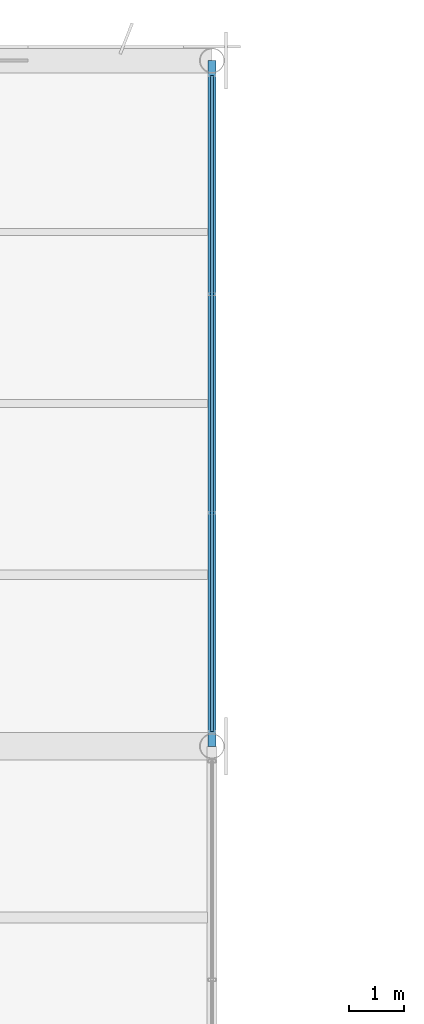
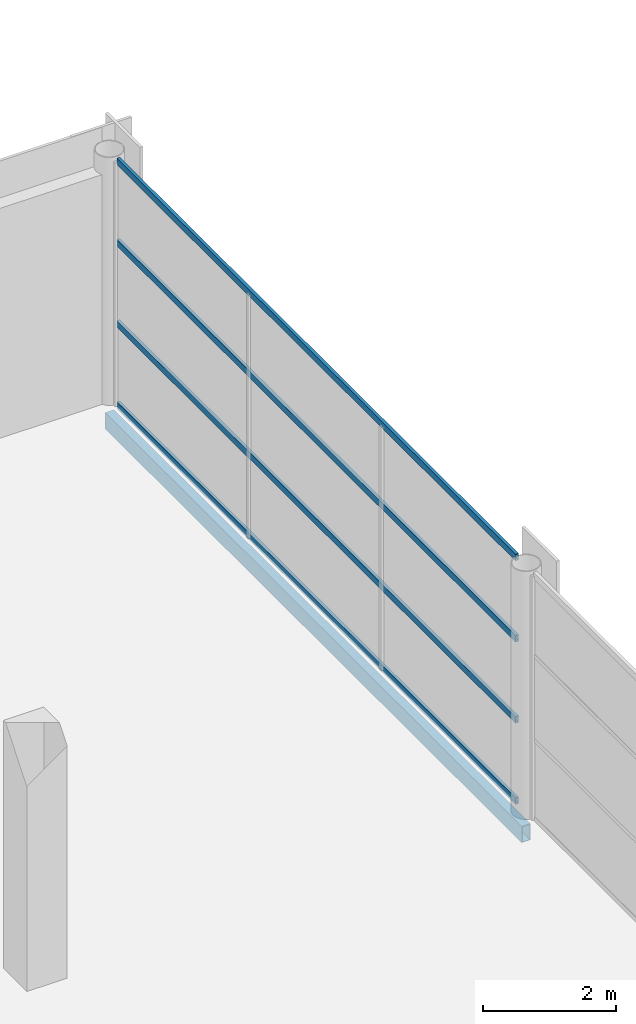
# One storey, part 48 of 112: 4 members, 1 beam, 1 element without a shape of its own.
"""IFC4 building model written with IfcOpenShell, lengths in metres."""

from ifc_helpers import new_model, si_unit, direction, frame, origin, origin_2d, place, context, subcontext, project, spatial, hollow_rectangle, extrude, material, material_profile, profile_set, type_object, element, aggregate, save


model = new_model("IFC4")

# Units and contexts
model_context = context("Model", 3, precision=1e-05, world=origin(), true_north=direction((0.0, 1.0)))
body_context = subcontext(model_context, "Body", "Model", "MODEL_VIEW")
ifc_project = project(units=[si_unit("LENGTHUNIT", "METRE"), si_unit("AREAUNIT", "SQUARE_METRE"), si_unit("VOLUMEUNIT", "CUBIC_METRE"), si_unit("PLANEANGLEUNIT", "RADIAN"), si_unit("MASSUNIT", "GRAM", prefix="KILO")], contexts=[model_context])

# Site, building, storey
site_placement = place(None, origin())
site = spatial("IfcSite", under=ifc_project, at=site_placement, CompositionType="ELEMENT")
building_placement = place(site_placement, origin())
building = spatial("IfcBuilding", under=site, at=building_placement, Name="Solvikara Media Centre", CompositionType="ELEMENT")
storey_placement = place(building_placement, frame((0.0, 0.0, 5.39990234375)))
storey = spatial("IfcBuildingStorey", under=building, at=storey_placement, Name="L01", CompositionType="ELEMENT", Elevation=5.39990234375)

# Beam
ifc_material_1 = material(Name="Steel S355JR", Category="steel")
ifc_material_profile_1 = material_profile(ifc_material_1, hollow_rectangle(XDim=0.14990234375, YDim=0.300048828125, WallThickness=0.010009765625, at=origin_2d()), Name="RHS 300x150x10")
ifc_profile_set_1 = profile_set([ifc_material_profile_1], Name="Steel S355JR")
beam_type = type_object("IfcBeamType", Name="BM-35", PredefinedType="BEAM", material=ifc_profile_set_1)
beam_placement = place(storey_placement, frame((34.0, 101.5, -0.411865234375), z_axis=(0.0, 1.0, 0.0), x_axis=(-1.0, 0.0, 0.0)))
element("IfcBeam", 1, at=beam_placement, inside=storey, type_object=beam_type, Name="B-L01-Y0581", PredefinedType="BEAM", context=body_context, shape_type="SweptSolid", body=[
    extrude(hollow_rectangle(XDim=0.14990234375, YDim=0.300048828125, WallThickness=0.010009765625, at=origin_2d()), origin(), (0.0, 0.0, 1.0), 12.5),
])

# Curtain wall, members
ifc_material_2 = material(Name="Anodised aluminium EN AW-6063", Category="aluminium")
curtain_wall_type = type_object("IfcCurtainWallType", Name="CW-08", PredefinedType="NOTDEFINED", material=ifc_material_2)
curtain_wall_placement = place(storey_placement, origin())
curtain_wall = element("IfcCurtainWall", 2, at=curtain_wall_placement, inside=storey, type_object=curtain_wall_type, Name="CW-L01-V3E-S3", PredefinedType="NOTDEFINED")
ifc_material_profile_2 = material_profile(ifc_material_2, hollow_rectangle(XDim=0.054931640625, YDim=0.1201171875, WallThickness=0.0029296875, at=origin_2d()), Name="ALU-T 55x120x3")
ifc_profile_set_2 = profile_set([ifc_material_profile_2], Name="Anodised aluminium EN AW-6063")
member_type = type_object("IfcMemberType", Name="MF-11", PredefinedType="USERDEFINED", material=ifc_profile_set_2)
member_1_placement = place(storey_placement, frame((34.0, 101.76904296875, 0.02001953125), z_axis=(0.0, 1.0, 0.0), x_axis=(-1.0, 0.0, 0.0)))
member_1 = element("IfcMember", 3, at=member_1_placement, type_object=member_type, Name="CW-L01-V3E-S3-T00", ObjectType="TRANSOM", PredefinedType="USERDEFINED", context=body_context, shape_type="SweptSolid", body=[
    extrude(hollow_rectangle(XDim=0.054931640625, YDim=0.1201171875, WallThickness=0.0029296875, at=origin_2d()), origin(), (0.0, 0.0, 1.0), 11.962890625),
])
member_2_placement = place(storey_placement, frame((34.0, 101.76904296875, 1.507080078125), z_axis=(0.0, 1.0, 0.0), x_axis=(-1.0, 0.0, 0.0)))
member_2 = element("IfcMember", 4, at=member_2_placement, type_object=member_type, Name="CW-L01-V3E-S3-T01", ObjectType="TRANSOM", PredefinedType="USERDEFINED", context=body_context, shape_type="SweptSolid", body=[
    extrude(hollow_rectangle(XDim=0.054931640625, YDim=0.1201171875, WallThickness=0.0029296875, at=origin_2d()), origin(), (0.0, 0.0, 1.0), 11.962890625),
])
member_3_placement = place(storey_placement, frame((34.0, 101.76904296875, 2.9931640625), z_axis=(0.0, 1.0, 0.0), x_axis=(-1.0, 0.0, 0.0)))
member_3 = element("IfcMember", 5, at=member_3_placement, type_object=member_type, Name="CW-L01-V3E-S3-T02", ObjectType="TRANSOM", PredefinedType="USERDEFINED", context=body_context, shape_type="SweptSolid", body=[
    extrude(hollow_rectangle(XDim=0.054931640625, YDim=0.1201171875, WallThickness=0.0029296875, at=origin_2d()), origin(), (0.0, 0.0, 1.0), 11.962890625),
])
member_4_placement = place(storey_placement, frame((34.0, 101.76904296875, 4.47998046875), z_axis=(0.0, 1.0, 0.0), x_axis=(-1.0, 0.0, 0.0)))
member_4 = element("IfcMember", 6, at=member_4_placement, type_object=member_type, Name="CW-L01-V3E-S3-T03", ObjectType="TRANSOM", PredefinedType="USERDEFINED", context=body_context, shape_type="SweptSolid", body=[
    extrude(hollow_rectangle(XDim=0.054931640625, YDim=0.1201171875, WallThickness=0.0029296875, at=origin_2d()), origin(), (0.0, 0.0, 1.0), 11.962890625),
])
aggregate(curtain_wall, [member_1, member_2, member_3, member_4])

save(model, "model.ifc")
